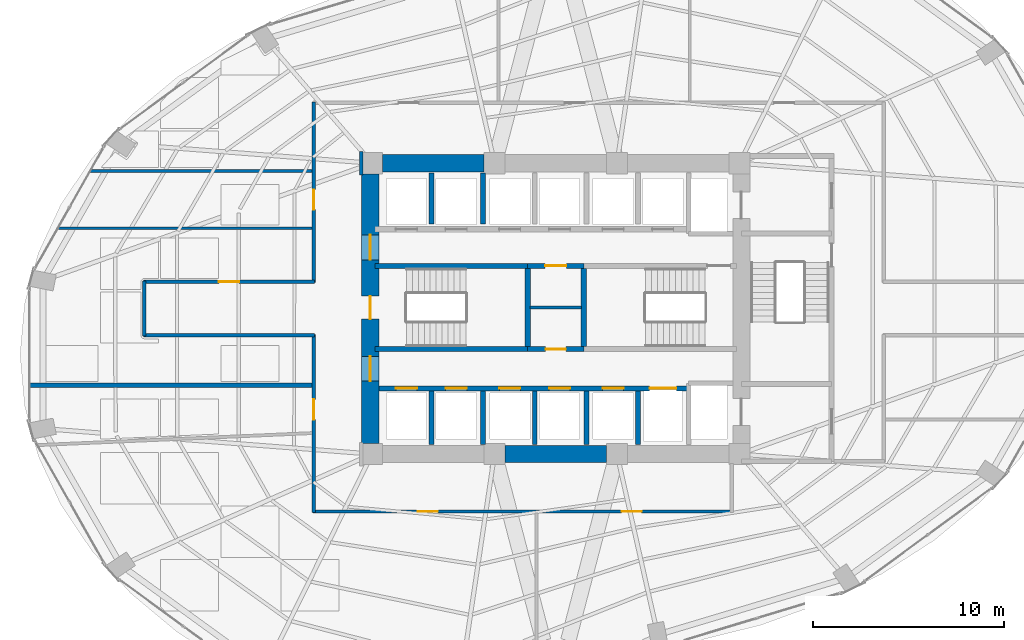
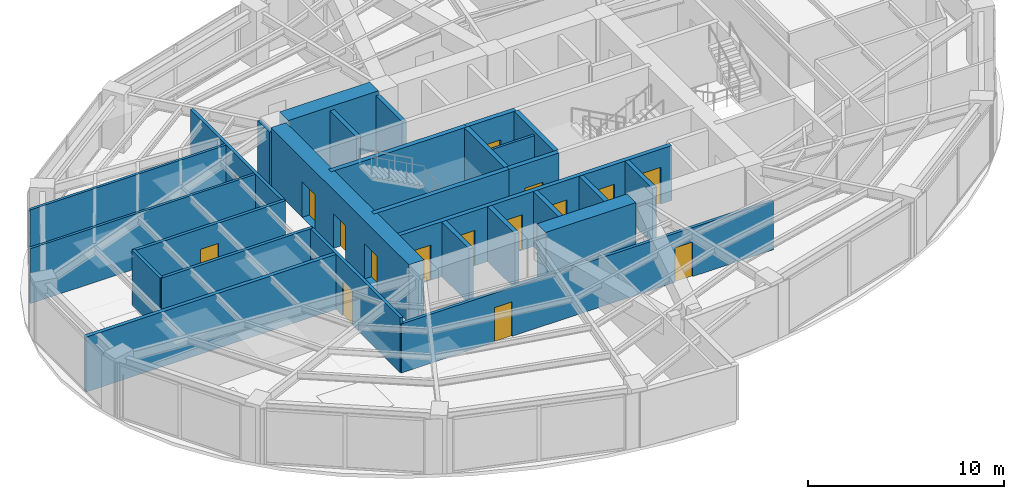
# One storey, part 20 of 24: 28 walls, 16 doors, 16 openings.
"""IFC4 building model written with IfcOpenShell, lengths in metres."""

from ifc_helpers import new_model, si_unit, direction, frame, frame_2d, origin, place, context, subcontext, project, spatial, rectangle, extrude, material, layer, layer_set, type_object, element, fill, save


model = new_model("IFC4")

# Units and contexts
model_context = context("Model", 3, precision=1e-05, world=origin(), true_north=direction((0.0, 1.0)))
body_context = subcontext(model_context, "Body", "Model", "MODEL_VIEW")
ifc_project = project(units=[si_unit("LENGTHUNIT", "METRE"), si_unit("AREAUNIT", "SQUARE_METRE"), si_unit("VOLUMEUNIT", "CUBIC_METRE"), si_unit("PLANEANGLEUNIT", "RADIAN"), si_unit("MASSUNIT", "GRAM", prefix="KILO")], contexts=[model_context])

# Site, building, storey
site_placement = place(None, origin())
site = spatial("IfcSite", under=ifc_project, at=site_placement, CompositionType="ELEMENT")
building_placement = place(site_placement, origin())
building = spatial("IfcBuilding", under=site, at=building_placement, Name="Lazwardi Medical Tower", CompositionType="ELEMENT")
storey_placement = place(building_placement, frame((0.0, 0.0, 36.14404296875)))
storey = spatial("IfcBuildingStorey", under=building, at=storey_placement, Name="L08", CompositionType="ELEMENT", Elevation=36.14404296875)

# Wall
ifc_material_1 = material(Name="Fire-rated gypsum board on steel stud", Category="steel")
ifc_layer_1 = layer(ifc_material_1, 0.179931640625)
ifc_layer_set_1 = layer_set([ifc_layer_1], Name="Fire-rated gypsum board on steel stud")
wall_type_1 = type_object("IfcWallType", Name="WL-COR-180", PredefinedType="PARTITIONING", material=ifc_layer_set_1)
wall_1_placement = place(storey_placement, frame((14.5, 26.56005859375, 0.0), z_axis=(0.0, 0.0, 1.0), x_axis=(0.0, 1.0, 0.0)))
element("IfcWall", 1, at=wall_1_placement, inside=storey, type_object=wall_type_1, Name="L08 Corridor partition 1", PredefinedType="PARTITIONING", context=body_context, shape_type="SweptSolid", body=[
    extrude(rectangle(XDim=2.8798828125, YDim=0.179931640625, at=frame_2d((1.43994140625, 0.0))), origin(), (0.0, 0.0, 1.0), 3.427978515625),
])

# Wall, opening, door
wall_2_placement = place(storey_placement, frame((14.4599609375, 29.39990234375, 0.0), z_axis=(0.0, 0.0, 1.0), x_axis=(1.0, 0.0, 0.0)))
wall_2 = element("IfcWall", 2, at=wall_2_placement, inside=storey, type_object=wall_type_1, Name="L08 Corridor partition 2", PredefinedType="PARTITIONING", context=body_context, shape_type="SweptSolid", body=[
    extrude(rectangle(XDim=8.929931640625, YDim=0.179931640625, at=frame_2d((4.46484375, 0.0))), origin(), (0.0, 0.0, 1.0), 3.427978515625),
])
opening_1_placement = place(wall_2_placement, frame((3.93994140625, 0.0, 0.0)))
opening_1 = element("IfcOpeningElement", 3, at=opening_1_placement, cuts=wall_2, Name="Opening D-L08-014", PredefinedType="OPENING", context=body_context, shape_type="SweptSolid", body=[
    extrude(rectangle(XDim=1.050048828125, YDim=2.14990234375, at=frame_2d((0.52490234375, 1.074951171875))), frame((0.0, 0.099853515625, 0.0), z_axis=(0.0, -1.0, 0.0), x_axis=(1.0, 0.0, 0.0)), (0.0, 0.0, 1.0), 0.199951171875),
])
ifc_material_2 = material(Name="Anti-microbial laminate hospital leaf")
door_type_1 = type_object("IfcDoorType", Name="DR-CLN-1050", OperationType="NOTDEFINED", PredefinedType="DOOR", material=ifc_material_2)
door_1_placement = place(opening_1_placement, origin())
door_1 = element("IfcDoor", 4, at=door_1_placement, inside=storey, type_object=door_type_1, Name="L08 Outpatient Clinic Door 08", OperationType="SINGLE_SWING_RIGHT", OverallHeight=2.14990234375, OverallWidth=1.050048828125, PredefinedType="DOOR", context=body_context, shape_type="SweptSolid", body=[
    extrude(rectangle(XDim=1.050048828125, YDim=2.14990234375, at=frame_2d((0.52490234375, 1.074951171875))), frame((0.0, 0.02490234375, 0.0), z_axis=(0.0, -1.0, 0.0), x_axis=(1.0, 0.0, 0.0)), (0.0, 0.0, 1.0), 0.050048828125),
])
fill(opening_1, door_1)

wall_3_placement = place(storey_placement, frame((23.35009765625, 29.360107421875, 0.0), z_axis=(0.0, 0.0, 1.0), x_axis=(0.0, 1.0, 0.0)))
wall_3 = element("IfcWall", 5, at=wall_3_placement, inside=storey, type_object=wall_type_1, Name="L08 Corridor partition 3", PredefinedType="PARTITIONING", context=body_context, shape_type="SweptSolid", body=[
    extrude(rectangle(XDim=9.429931640625, YDim=0.179931640625, at=frame_2d((4.71484375, 0.0))), origin(), (0.0, 0.0, 1.0), 3.427978515625),
])
opening_2_placement = place(wall_3_placement, frame((3.81494140625, 0.0, 0.0)))
opening_2 = element("IfcOpeningElement", 6, at=opening_2_placement, cuts=wall_3, Name="Opening D-L08-013", PredefinedType="OPENING", context=body_context, shape_type="SweptSolid", body=[
    extrude(rectangle(XDim=1.050048828125, YDim=2.14990234375, at=frame_2d((0.52490234375, 1.074951171875))), frame((0.0, 0.099853515625, 0.0), z_axis=(0.0, -1.0, 0.0), x_axis=(1.0, 0.0, 0.0)), (0.0, 0.0, 1.0), 0.199951171875),
])
door_2_placement = place(opening_2_placement, origin())
door_2 = element("IfcDoor", 7, at=door_2_placement, inside=storey, type_object=door_type_1, Name="L08 Outpatient Clinic Door 07", OperationType="SINGLE_SWING_LEFT", OverallHeight=2.14990234375, OverallWidth=1.050048828125, PredefinedType="DOOR", context=body_context, shape_type="SweptSolid", body=[
    extrude(rectangle(XDim=1.050048828125, YDim=2.14990234375, at=frame_2d((0.52490234375, 1.074951171875))), frame((0.0, 0.02490234375, 0.0), z_axis=(0.0, -1.0, 0.0), x_axis=(1.0, 0.0, 0.0)), (0.0, 0.0, 1.0), 0.050048828125),
])
fill(opening_2, door_2)

# Wall
wall_4_placement = place(storey_placement, frame((25.830078125, 36.2099609375, 0.0), z_axis=(0.0, 0.0, 1.0), x_axis=(0.0, -1.0, 0.0)))
element("IfcWall", 8, at=wall_4_placement, inside=storey, type_object=wall_type_1, Name="L08 Corridor partition 12", PredefinedType="PARTITIONING", context=body_context, shape_type="SweptSolid", body=[
    extrude(rectangle(XDim=1.219970703125, YDim=0.179931640625, at=frame_2d((0.60986328125, 0.0))), origin(), (0.0, 0.0, 1.0), 3.427978515625),
])

# Wall, openings, doors
wall_5_placement = place(storey_placement, frame((45.239990234375, 17.39990234375, 0.0), z_axis=(0.0, 0.0, 1.0), x_axis=(-1.0, 0.0, 0.0)))
wall_5 = element("IfcWall", 9, at=wall_5_placement, inside=storey, type_object=wall_type_1, Name="L08 Corridor partition 15", PredefinedType="PARTITIONING", context=body_context, shape_type="SweptSolid", body=[
    extrude(rectangle(XDim=21.929931640625, YDim=0.179931640625, at=frame_2d((10.96484375, 0.0))), origin(), (0.0, 0.0, 1.0), 3.052978515625),
])
opening_3_placement = place(wall_5_placement, frame((15.40087890625, 0.0, 0.0)))
opening_3 = element("IfcOpeningElement", 10, at=opening_3_placement, cuts=wall_5, Name="Opening D-L08-008", PredefinedType="OPENING", context=body_context, shape_type="SweptSolid", body=[
    extrude(rectangle(XDim=1.050048828125, YDim=2.14990234375, at=frame_2d((0.52490234375, 1.074951171875))), frame((0.0, 0.099853515625, 0.0), z_axis=(0.0, -1.0, 0.0), x_axis=(1.0, 0.0, 0.0)), (0.0, 0.0, 1.0), 0.199951171875),
])
opening_4_placement = place(wall_5_placement, frame((4.75390625, 0.0, 0.0)))
opening_4 = element("IfcOpeningElement", 11, at=opening_4_placement, cuts=wall_5, Name="Opening D-L08-009", PredefinedType="OPENING", context=body_context, shape_type="SweptSolid", body=[
    extrude(rectangle(XDim=1.050048828125, YDim=2.14990234375, at=frame_2d((0.52490234375, 1.074951171875))), frame((0.0, 0.099853515625, 0.0), z_axis=(0.0, -1.0, 0.0), x_axis=(1.0, 0.0, 0.0)), (0.0, 0.0, 1.0), 0.199951171875),
])
door_3_placement = place(opening_3_placement, origin())
door_3 = element("IfcDoor", 12, at=door_3_placement, inside=storey, type_object=door_type_1, Name="L08 Clinical Specialist Office Door 02", OperationType="SINGLE_SWING_RIGHT", OverallHeight=2.14990234375, OverallWidth=1.050048828125, PredefinedType="DOOR", context=body_context, shape_type="SweptSolid", body=[
    extrude(rectangle(XDim=1.050048828125, YDim=2.14990234375, at=frame_2d((0.52490234375, 1.074951171875))), frame((0.0, 0.02490234375, 0.0), z_axis=(0.0, -1.0, 0.0), x_axis=(1.0, 0.0, 0.0)), (0.0, 0.0, 1.0), 0.050048828125),
])
fill(opening_3, door_3)
door_4_placement = place(opening_4_placement, origin())
door_4 = element("IfcDoor", 13, at=door_4_placement, inside=storey, type_object=door_type_1, Name="L08 Outpatient Consultation Suite Door 03", OperationType="SINGLE_SWING_LEFT", OverallHeight=2.14990234375, OverallWidth=1.050048828125, PredefinedType="DOOR", context=body_context, shape_type="SweptSolid", body=[
    extrude(rectangle(XDim=1.050048828125, YDim=2.14990234375, at=frame_2d((0.52490234375, 1.074951171875))), frame((0.0, 0.02490234375, 0.0), z_axis=(0.0, -1.0, 0.0), x_axis=(1.0, 0.0, 0.0)), (0.0, 0.0, 1.0), 0.050048828125),
])
fill(opening_4, door_4)

# Wall, opening, door
wall_6_placement = place(storey_placement, frame((23.35009765625, 17.360107421875, 0.0), z_axis=(0.0, 0.0, 1.0), x_axis=(0.0, 1.0, 0.0)))
wall_6 = element("IfcWall", 14, at=wall_6_placement, inside=storey, type_object=wall_type_1, Name="L08 Corridor partition 16", PredefinedType="PARTITIONING", context=body_context, shape_type="SweptSolid", body=[
    extrude(rectangle(XDim=9.27978515625, YDim=0.179931640625, at=frame_2d((4.639892578125, 0.0))), origin(), (0.0, 0.0, 1.0), 3.427978515625),
])
opening_5_placement = place(wall_6_placement, frame((4.845703125, 0.0, 0.0)))
opening_5 = element("IfcOpeningElement", 15, at=opening_5_placement, cuts=wall_6, Name="Opening D-L08-007", PredefinedType="OPENING", context=body_context, shape_type="SweptSolid", body=[
    extrude(rectangle(XDim=1.050048828125, YDim=2.14990234375, at=frame_2d((0.52490234375, 1.074951171875))), frame((0.0, 0.099853515625, 0.0), z_axis=(0.0, -1.0, 0.0), x_axis=(1.0, 0.0, 0.0)), (0.0, 0.0, 1.0), 0.199951171875),
])
door_5_placement = place(opening_5_placement, origin())
door_5 = element("IfcDoor", 16, at=door_5_placement, inside=storey, type_object=door_type_1, Name="L08 Outpatient Clinic Door 01", OperationType="SINGLE_SWING_LEFT", OverallHeight=2.14990234375, OverallWidth=1.050048828125, PredefinedType="DOOR", context=body_context, shape_type="SweptSolid", body=[
    extrude(rectangle(XDim=1.050048828125, YDim=2.14990234375, at=frame_2d((0.52490234375, 1.074951171875))), frame((0.0, 0.02490234375, 0.0), z_axis=(0.0, -1.0, 0.0), x_axis=(1.0, 0.0, 0.0)), (0.0, 0.0, 1.0), 0.050048828125),
])
fill(opening_5, door_5)

# Wall
wall_7_placement = place(storey_placement, frame((23.389892578125, 26.60009765625, 0.0), z_axis=(0.0, 0.0, 1.0), x_axis=(-1.0, 0.0, 0.0)))
element("IfcWall", 17, at=wall_7_placement, inside=storey, type_object=wall_type_1, Name="L08 Corridor partition 17", PredefinedType="PARTITIONING", context=body_context, shape_type="SweptSolid", body=[
    extrude(rectangle(XDim=8.929931640625, YDim=0.179931640625, at=frame_2d((4.46484375, 0.0))), origin(), (0.0, 0.0, 1.0), 3.427978515625),
])

# Wall, openings, doors
ifc_material_3 = material(Name="Concrete C80/95", Category="concrete")
ifc_layer_2 = layer(ifc_material_3, 0.89990234375)
ifc_layer_set_2 = layer_set([ifc_layer_2], Name="Concrete C80/95")
wall_type_2 = type_object("IfcWallType", Name="WL-CORE-900", PredefinedType="SHEAR", material=ifc_layer_set_2)
wall_8_placement = place(storey_placement, frame((26.300048828125, 20.949951171875, 0.0), z_axis=(0.0, 0.0, 1.0), x_axis=(0.0, 1.0, 0.0)))
wall_8 = element("IfcWall", 18, at=wall_8_placement, inside=storey, type_object=wall_type_2, Name="Core wall CW-S1 west L08", PredefinedType="SHEAR", context=body_context, shape_type="SweptSolid", body=[
    extrude(rectangle(XDim=14.10009765625, YDim=0.89990234375, at=frame_2d((7.050048828125, 0.0))), origin(), (0.0, 0.0, 1.0), 3.64794921875),
])
opening_6_placement = place(wall_8_placement, frame((6.5, 0.0, 0.0)))
opening_6 = element("IfcOpeningElement", 19, at=opening_6_placement, cuts=wall_8, Name="Opening D-L08-015", PredefinedType="OPENING", context=body_context, shape_type="SweptSolid", body=[
    extrude(rectangle(XDim=1.199951171875, YDim=2.14990234375, at=frame_2d((0.60009765625, 1.074951171875))), frame((0.0, 0.4599609375, 0.0), z_axis=(0.0, -1.0, 0.0), x_axis=(1.0, 0.0, 0.0)), (0.0, 0.0, 1.0), 0.919921875),
])
opening_7_placement = place(wall_8_placement, frame((9.60009765625, 0.0, 0.0)))
opening_7 = element("IfcOpeningElement", 20, at=opening_7_placement, cuts=wall_8, Name="Opening D-L08-005", PredefinedType="OPENING", context=body_context, shape_type="SweptSolid", body=[
    extrude(rectangle(XDim=1.300048828125, YDim=2.199951171875, at=frame_2d((0.64990234375, 1.10009765625))), frame((0.0, 0.4599609375, 0.0), z_axis=(0.0, -1.0, 0.0), x_axis=(1.0, 0.0, 0.0)), (0.0, 0.0, 1.0), 0.919921875),
])
opening_8_placement = place(wall_8_placement, frame((3.260009765625, 0.0, 0.0)))
opening_8 = element("IfcOpeningElement", 21, at=opening_8_placement, cuts=wall_8, Name="Opening D-L08-006", PredefinedType="OPENING", context=body_context, shape_type="SweptSolid", body=[
    extrude(rectangle(XDim=1.300048828125, YDim=2.199951171875, at=frame_2d((0.64990234375, 1.10009765625))), frame((0.0, 0.4599609375, 0.0), z_axis=(0.0, -1.0, 0.0), x_axis=(1.0, 0.0, 0.0)), (0.0, 0.0, 1.0), 0.919921875),
])
ifc_material_4 = material(Name="Fire-rated steel leaf and frame", Category="steel")
door_type_2 = type_object("IfcDoorType", Name="DR-FFL-1300", OperationType="NOTDEFINED", PredefinedType="DOOR", material=ifc_material_4)
door_6_placement = place(opening_7_placement, origin())
door_6 = element("IfcDoor", 22, at=door_6_placement, inside=storey, type_object=door_type_2, Name="L08 North Lift Lobby Door", OperationType="SINGLE_SWING_RIGHT", OverallHeight=2.199951171875, OverallWidth=1.300048828125, PredefinedType="DOOR", context=body_context, shape_type="SweptSolid", body=[
    extrude(rectangle(XDim=1.300048828125, YDim=2.199951171875, at=frame_2d((0.64990234375, 1.10009765625))), frame((0.0, 0.02490234375, 0.0), z_axis=(0.0, -1.0, 0.0), x_axis=(1.0, 0.0, 0.0)), (0.0, 0.0, 1.0), 0.050048828125),
])
fill(opening_7, door_6)
door_7_placement = place(opening_8_placement, origin())
door_7 = element("IfcDoor", 23, at=door_7_placement, inside=storey, type_object=door_type_2, Name="L08 South Lift Lobby Door", OperationType="SINGLE_SWING_LEFT", OverallHeight=2.199951171875, OverallWidth=1.300048828125, PredefinedType="DOOR", context=body_context, shape_type="SweptSolid", body=[
    extrude(rectangle(XDim=1.300048828125, YDim=2.199951171875, at=frame_2d((0.64990234375, 1.10009765625))), frame((0.0, 0.02490234375, 0.0), z_axis=(0.0, -1.0, 0.0), x_axis=(1.0, 0.0, 0.0)), (0.0, 0.0, 1.0), 0.050048828125),
])
fill(opening_8, door_7)
door_type_3 = type_object("IfcDoorType", Name="DR-STR-1200", OperationType="NOTDEFINED", PredefinedType="DOOR", material=ifc_material_4)
door_8_placement = place(opening_6_placement, origin())
door_8 = element("IfcDoor", 24, at=door_8_placement, inside=storey, type_object=door_type_3, Name="L08 Exit Stair ST1 Door", OperationType="SINGLE_SWING_RIGHT", OverallHeight=2.14990234375, OverallWidth=1.199951171875, PredefinedType="DOOR", context=body_context, shape_type="SweptSolid", body=[
    extrude(rectangle(XDim=1.199951171875, YDim=2.14990234375, at=frame_2d((0.60009765625, 1.074951171875))), frame((0.0, 0.02490234375, 0.0), z_axis=(0.0, -1.0, 0.0), x_axis=(1.0, 0.0, 0.0)), (0.0, 0.0, 1.0), 0.050048828125),
])
fill(opening_6, door_8)

# Walls
wall_9_placement = place(storey_placement, frame((26.949951171875, 35.60009765625, 0.0), z_axis=(0.0, 0.0, 1.0), x_axis=(1.0, 0.0, 0.0)))
element("IfcWall", 25, at=wall_9_placement, inside=storey, type_object=wall_type_2, Name="Core wall CW-S1 N1 L08", PredefinedType="SHEAR", context=body_context, shape_type="SweptSolid", body=[
    extrude(rectangle(XDim=5.300048828125, YDim=0.89990234375, at=frame_2d((2.64990234375, 0.0))), origin(), (0.0, 0.0, 1.0), 3.64794921875),
])
wall_10_placement = place(storey_placement, frame((33.35009765625, 20.39990234375, 0.0), z_axis=(0.0, 0.0, 1.0), x_axis=(1.0, 0.0, 0.0)))
element("IfcWall", 26, at=wall_10_placement, inside=storey, type_object=wall_type_2, Name="Core wall CW-S1 S2 L08", PredefinedType="SHEAR", context=body_context, shape_type="SweptSolid", body=[
    extrude(rectangle(XDim=5.2998046875, YDim=0.89990234375, at=frame_2d((2.64990234375, 0.0))), origin(), (0.0, 0.0, 1.0), 3.64794921875),
])

# Wall, openings, doors
ifc_material_5 = material(Name="Autoclaved aerated concrete blockwork", Category="masonry")
ifc_layer_3 = layer(ifc_material_5, 0.25)
ifc_layer_set_3 = layer_set([ifc_layer_3], Name="Autoclaved aerated concrete blockwork")
wall_type_3 = type_object("IfcWallType", Name="WL-SHAFT-250", PredefinedType="SOLIDWALL", material=ifc_layer_set_3)
wall_11_placement = place(storey_placement, frame((26.75, 23.830078125, 0.0), z_axis=(0.0, 0.0, 1.0), x_axis=(1.0, 0.0, 0.0)))
wall_11 = element("IfcWall", 27, at=wall_11_placement, inside=storey, type_object=wall_type_3, Name="L08 South lift bank front wall", PredefinedType="SOLIDWALL", context=body_context, shape_type="SweptSolid", body=[
    extrude(rectangle(XDim=16.199951171875, YDim=0.25, at=frame_2d((8.10009765625, 0.0))), origin(), (0.0, 0.0, 1.0), 3.427978515625),
])
opening_9_placement = place(wall_11_placement, frame((0.89990234375, 0.0, 0.0)))
opening_9 = element("IfcOpeningElement", 28, at=opening_9_placement, cuts=wall_11, Name="Opening LD-L08-006", PredefinedType="OPENING", context=body_context, shape_type="SweptSolid", body=[
    extrude(rectangle(XDim=1.10009765625, YDim=2.199951171875, at=frame_2d((0.550048828125, 1.10009765625))), frame((0.0, 0.135009765625, 0.0), z_axis=(0.0, -1.0, 0.0), x_axis=(1.0, 0.0, 0.0)), (0.0, 0.0, 1.0), 0.27001953125),
])
opening_10_placement = place(wall_11_placement, frame((3.5, 0.0, 0.0)))
opening_10 = element("IfcOpeningElement", 29, at=opening_10_placement, cuts=wall_11, Name="Opening LD-L08-007", PredefinedType="OPENING", context=body_context, shape_type="SweptSolid", body=[
    extrude(rectangle(XDim=1.10009765625, YDim=2.199951171875, at=frame_2d((0.550048828125, 1.10009765625))), frame((0.0, 0.135009765625, 0.0), z_axis=(0.0, -1.0, 0.0), x_axis=(1.0, 0.0, 0.0)), (0.0, 0.0, 1.0), 0.27001953125),
])
opening_11_placement = place(wall_11_placement, frame((6.300048828125, 0.0, 0.0)))
opening_11 = element("IfcOpeningElement", 30, at=opening_11_placement, cuts=wall_11, Name="Opening LD-L08-010", PredefinedType="OPENING", context=body_context, shape_type="SweptSolid", body=[
    extrude(rectangle(XDim=1.10009765625, YDim=2.199951171875, at=frame_2d((0.550048828125, 1.10009765625))), frame((0.0, 0.135009765625, 0.0), z_axis=(0.0, -1.0, 0.0), x_axis=(1.0, 0.0, 0.0)), (0.0, 0.0, 1.0), 0.27001953125),
])
opening_12_placement = place(wall_11_placement, frame((8.89990234375, 0.0, 0.0)))
opening_12 = element("IfcOpeningElement", 31, at=opening_12_placement, cuts=wall_11, Name="Opening LD-L08-011", PredefinedType="OPENING", context=body_context, shape_type="SweptSolid", body=[
    extrude(rectangle(XDim=1.10009765625, YDim=2.199951171875, at=frame_2d((0.550048828125, 1.10009765625))), frame((0.0, 0.135009765625, 0.0), z_axis=(0.0, -1.0, 0.0), x_axis=(1.0, 0.0, 0.0)), (0.0, 0.0, 1.0), 0.27001953125),
])
opening_13_placement = place(wall_11_placement, frame((11.699951171875, 0.0, 0.0)))
opening_13 = element("IfcOpeningElement", 32, at=opening_13_placement, cuts=wall_11, Name="Opening LD-L08-014", PredefinedType="OPENING", context=body_context, shape_type="SweptSolid", body=[
    extrude(rectangle(XDim=1.10009765625, YDim=2.199951171875, at=frame_2d((0.550048828125, 1.10009765625))), frame((0.0, 0.135009765625, 0.0), z_axis=(0.0, -1.0, 0.0), x_axis=(1.0, 0.0, 0.0)), (0.0, 0.0, 1.0), 0.27001953125),
])
opening_14_placement = place(wall_11_placement, frame((14.14990234375, 0.0, 0.0)))
opening_14 = element("IfcOpeningElement", 33, at=opening_14_placement, cuts=wall_11, Name="Opening LD-L08-003", PredefinedType="OPENING", context=body_context, shape_type="SweptSolid", body=[
    extrude(rectangle(XDim=1.39990234375, YDim=2.300048828125, at=frame_2d((0.699951171875, 1.14990234375))), frame((0.0, 0.135009765625, 0.0), z_axis=(0.0, -1.0, 0.0), x_axis=(1.0, 0.0, 0.0)), (0.0, 0.0, 1.0), 0.27001953125),
])
ifc_material_6 = material(Name="Brushed bronze stainless steel landing door", Category="steel")
door_type_4 = type_object("IfcDoorType", Name="DR-LFT-1100", OperationType="NOTDEFINED", PredefinedType="DOOR", material=ifc_material_6)
door_9_placement = place(opening_9_placement, origin())
door_9 = element("IfcDoor", 34, at=door_9_placement, inside=storey, type_object=door_type_4, Name="L08 Lift Landing Door PL-03", OperationType="SLIDING_TO_LEFT", OverallHeight=2.199951171875, OverallWidth=1.10009765625, PredefinedType="DOOR", context=body_context, shape_type="SweptSolid", body=[
    extrude(rectangle(XDim=1.10009765625, YDim=2.199951171875, at=frame_2d((0.550048828125, 1.10009765625))), frame((0.0, 0.02490234375, 0.0), z_axis=(0.0, -1.0, 0.0), x_axis=(1.0, 0.0, 0.0)), (0.0, 0.0, 1.0), 0.050048828125),
])
fill(opening_9, door_9)
door_10_placement = place(opening_10_placement, origin())
door_10 = element("IfcDoor", 35, at=door_10_placement, inside=storey, type_object=door_type_4, Name="L08 Lift Landing Door PL-04", OperationType="SLIDING_TO_LEFT", OverallHeight=2.199951171875, OverallWidth=1.10009765625, PredefinedType="DOOR", context=body_context, shape_type="SweptSolid", body=[
    extrude(rectangle(XDim=1.10009765625, YDim=2.199951171875, at=frame_2d((0.550048828125, 1.10009765625))), frame((0.0, 0.02490234375, 0.0), z_axis=(0.0, -1.0, 0.0), x_axis=(1.0, 0.0, 0.0)), (0.0, 0.0, 1.0), 0.050048828125),
])
fill(opening_10, door_10)
door_11_placement = place(opening_11_placement, origin())
door_11 = element("IfcDoor", 36, at=door_11_placement, inside=storey, type_object=door_type_4, Name="L08 Lift Landing Door PL-07", OperationType="SLIDING_TO_LEFT", OverallHeight=2.199951171875, OverallWidth=1.10009765625, PredefinedType="DOOR", context=body_context, shape_type="SweptSolid", body=[
    extrude(rectangle(XDim=1.10009765625, YDim=2.199951171875, at=frame_2d((0.550048828125, 1.10009765625))), frame((0.0, 0.02490234375, 0.0), z_axis=(0.0, -1.0, 0.0), x_axis=(1.0, 0.0, 0.0)), (0.0, 0.0, 1.0), 0.050048828125),
])
fill(opening_11, door_11)
door_12_placement = place(opening_12_placement, origin())
door_12 = element("IfcDoor", 37, at=door_12_placement, inside=storey, type_object=door_type_4, Name="L08 Lift Landing Door PL-08", OperationType="SLIDING_TO_LEFT", OverallHeight=2.199951171875, OverallWidth=1.10009765625, PredefinedType="DOOR", context=body_context, shape_type="SweptSolid", body=[
    extrude(rectangle(XDim=1.10009765625, YDim=2.199951171875, at=frame_2d((0.550048828125, 1.10009765625))), frame((0.0, 0.02490234375, 0.0), z_axis=(0.0, -1.0, 0.0), x_axis=(1.0, 0.0, 0.0)), (0.0, 0.0, 1.0), 0.050048828125),
])
fill(opening_12, door_12)
door_13_placement = place(opening_13_placement, origin())
door_13 = element("IfcDoor", 38, at=door_13_placement, inside=storey, type_object=door_type_4, Name="L08 Lift Landing Door PL-11", OperationType="SLIDING_TO_LEFT", OverallHeight=2.199951171875, OverallWidth=1.10009765625, PredefinedType="DOOR", context=body_context, shape_type="SweptSolid", body=[
    extrude(rectangle(XDim=1.10009765625, YDim=2.199951171875, at=frame_2d((0.550048828125, 1.10009765625))), frame((0.0, 0.02490234375, 0.0), z_axis=(0.0, -1.0, 0.0), x_axis=(1.0, 0.0, 0.0)), (0.0, 0.0, 1.0), 0.050048828125),
])
fill(opening_13, door_13)
ifc_material_7 = material(Name="Brushed stainless steel bed-lift landing door", Category="steel")
door_type_5 = type_object("IfcDoorType", Name="DR-LFT-1400", OperationType="NOTDEFINED", PredefinedType="DOOR", material=ifc_material_7)
door_14_placement = place(opening_14_placement, origin())
door_14 = element("IfcDoor", 39, at=door_14_placement, inside=storey, type_object=door_type_5, Name="L08 Lift Landing Door FL-03", OperationType="SLIDING_TO_LEFT", OverallHeight=2.300048828125, OverallWidth=1.39990234375, PredefinedType="DOOR", context=body_context, shape_type="SweptSolid", body=[
    extrude(rectangle(XDim=1.39990234375, YDim=2.300048828125, at=frame_2d((0.699951171875, 1.14990234375))), frame((0.0, 0.02490234375, 0.0), z_axis=(0.0, -1.0, 0.0), x_axis=(1.0, 0.0, 0.0)), (0.0, 0.0, 1.0), 0.050048828125),
])
fill(opening_14, door_14)

# Walls
wall_12_placement = place(storey_placement, frame((29.5, 32.419921875, 0.0), z_axis=(0.0, 0.0, 1.0), x_axis=(0.0, 1.0, 0.0)))
element("IfcWall", 40, at=wall_12_placement, inside=storey, type_object=wall_type_3, Name="L08 North hoistway divider", PredefinedType="SOLIDWALL", context=body_context, shape_type="SweptSolid", body=[
    extrude(rectangle(XDim=2.68017578125, YDim=0.25, at=frame_2d((1.340087890625, 0.0))), origin(), (0.0, 0.0, 1.0), 3.427978515625),
])
wall_13_placement = place(storey_placement, frame((29.5, 20.89990234375, 0.0), z_axis=(0.0, 0.0, 1.0), x_axis=(0.0, 1.0, 0.0)))
element("IfcWall", 41, at=wall_13_placement, inside=storey, type_object=wall_type_3, Name="L08 South hoistway divider", PredefinedType="SOLIDWALL", context=body_context, shape_type="SweptSolid", body=[
    extrude(rectangle(XDim=2.800048828125, YDim=0.25, at=frame_2d((1.39990234375, 0.0))), origin(), (0.0, 0.0, 1.0), 3.427978515625),
])
wall_14_placement = place(storey_placement, frame((32.199951171875, 32.419921875, 0.0), z_axis=(0.0, 0.0, 1.0), x_axis=(0.0, 1.0, 0.0)))
element("IfcWall", 42, at=wall_14_placement, inside=storey, type_object=wall_type_3, Name="L08 North hoistway divider", PredefinedType="SOLIDWALL", context=body_context, shape_type="SweptSolid", body=[
    extrude(rectangle(XDim=2.68017578125, YDim=0.25, at=frame_2d((1.340087890625, 0.0))), origin(), (0.0, 0.0, 1.0), 3.427978515625),
])
for number, where, z_axis, x_axis, name in (
    (43, (32.199951171875, 20.89990234375, 0.0), (0.0, 0.0, 1.0), (0.0, 1.0, 0.0), "L08 South hoistway divider"),
    (44, (34.89990234375, 20.89990234375, 0.0), (0.0, 0.0, 1.0), (0.0, 1.0, 0.0), "L08 South hoistway divider"),
    (45, (37.60009765625, 20.89990234375, 0.0), (0.0, 0.0, 1.0), (0.0, 1.0, 0.0), "L08 South hoistway divider"),
    (46, (40.300048828125, 20.89990234375, 0.0), (0.0, 0.0, 1.0), (0.0, 1.0, 0.0), "L08 South hoistway divider"),
):
    element("IfcWall", number, at=place(storey_placement, frame(where, z_axis=z_axis, x_axis=x_axis)), inside=storey, type_object=wall_type_3, Name=name, PredefinedType="SOLIDWALL", context=body_context, shape_type="SweptSolid", body=[
        extrude(rectangle(XDim=2.800048828125, YDim=0.25, at=frame_2d((1.39990234375, 0.0))), origin(), (0.0, 0.0, 1.0), 3.427978515625),
    ])
ifc_layer_4 = layer(ifc_material_1, 0.219970703125)
ifc_layer_set_4 = layer_set([ifc_layer_4], Name="Fire-rated gypsum board on steel stud")
wall_type_4 = type_object("IfcWallType", Name="WL-SMK-220", PredefinedType="PARTITIONING", material=ifc_layer_set_4)
wall_15_placement = place(storey_placement, frame((8.5078125, 24.0, 0.0), z_axis=(0.0, 0.0, 1.0), x_axis=(1.0, 0.0, 0.0)))
element("IfcWall", 47, at=wall_15_placement, inside=storey, type_object=wall_type_4, Name="L08 Room partition 2", PredefinedType="PARTITIONING", context=body_context, shape_type="SweptSolid", body=[
    extrude(rectangle(XDim=14.752197265625, YDim=0.219970703125, at=frame_2d((7.3759765625, 0.0))), origin(), (0.0, 0.0, 1.0), 3.427978515625),
])
ifc_material_8 = material(Name="Concrete C50/60", Category="concrete")
ifc_layer_5 = layer(ifc_material_8, 0.27001953125)
ifc_layer_set_5 = layer_set([ifc_layer_5], Name="Concrete C50/60")
wall_type_5 = type_object("IfcWallType", Name="WL-STR-250", PredefinedType="SHEAR", material=ifc_layer_set_5)
wall_16_placement = place(storey_placement, frame((26.550048828125, 30.235107421875, 0.0), z_axis=(0.0, 0.0, 1.0), x_axis=(1.0, 0.0, 0.0)))
element("IfcWall", 48, at=wall_16_placement, inside=storey, type_object=wall_type_5, Name="L08 ST1 North shear shaft wall SW-S1", PredefinedType="SHEAR", context=body_context, shape_type="SweptSolid", body=[
    extrude(rectangle(XDim=7.98486328125, YDim=0.27001953125, at=frame_2d((3.992431640625, 0.0))), origin(), (0.0, 0.0, 1.0), 3.64794921875),
])

# Wall, opening, door
wall_17_placement = place(storey_placement, frame((34.534912109375, 30.235107421875, 0.0), z_axis=(0.0, 0.0, 1.0), x_axis=(1.0, 0.0, 0.0)))
wall_17 = element("IfcWall", 49, at=wall_17_placement, inside=storey, type_object=wall_type_5, Name="L08 Core service North shear wall SW-S1", PredefinedType="SHEAR", context=body_context, shape_type="SweptSolid", body=[
    extrude(rectangle(XDim=2.93017578125, YDim=0.27001953125, at=frame_2d((1.465087890625, 0.0))), origin(), (0.0, 0.0, 1.0), 3.64794921875),
])
opening_15_placement = place(wall_17_placement, frame((0.9150390625, 0.0, 0.0)))
opening_15 = element("IfcOpeningElement", 50, at=opening_15_placement, cuts=wall_17, Name="Opening D-L08-002", PredefinedType="OPENING", context=body_context, shape_type="SweptSolid", body=[
    extrude(rectangle(XDim=1.10009765625, YDim=2.14990234375, at=frame_2d((0.550048828125, 1.074951171875))), frame((0.0, 0.14501953125, 0.0), z_axis=(0.0, -1.0, 0.0), x_axis=(1.0, 0.0, 0.0)), (0.0, 0.0, 1.0), 0.2900390625),
])
door_type_6 = type_object("IfcDoorType", Name="DR-PLT-1100", OperationType="NOTDEFINED", PredefinedType="DOOR", material=ifc_material_4)
door_15_placement = place(opening_15_placement, origin())
door_15 = element("IfcDoor", 51, at=door_15_placement, inside=storey, type_object=door_type_6, Name="L08 Electrical Room Door", OperationType="SINGLE_SWING_LEFT", OverallHeight=2.14990234375, OverallWidth=1.10009765625, PredefinedType="DOOR", context=body_context, shape_type="SweptSolid", body=[
    extrude(rectangle(XDim=1.10009765625, YDim=2.14990234375, at=frame_2d((0.550048828125, 1.074951171875))), frame((0.0, 0.02490234375, 0.0), z_axis=(0.0, -1.0, 0.0), x_axis=(1.0, 0.0, 0.0)), (0.0, 0.0, 1.0), 0.050048828125),
])
fill(opening_15, door_15)

# Wall
wall_18_placement = place(storey_placement, frame((26.550048828125, 25.885009765625, 0.0), z_axis=(0.0, 0.0, 1.0), x_axis=(1.0, 0.0, 0.0)))
element("IfcWall", 52, at=wall_18_placement, inside=storey, type_object=wall_type_5, Name="L08 ST1 South shear shaft wall SW-S1", PredefinedType="SHEAR", context=body_context, shape_type="SweptSolid", body=[
    extrude(rectangle(XDim=7.98486328125, YDim=0.27001953125, at=frame_2d((3.992431640625, 0.0))), origin(), (0.0, 0.0, 1.0), 3.64794921875),
])

# Wall, opening, door
wall_19_placement = place(storey_placement, frame((34.534912109375, 25.885009765625, 0.0), z_axis=(0.0, 0.0, 1.0), x_axis=(1.0, 0.0, 0.0)))
wall_19 = element("IfcWall", 53, at=wall_19_placement, inside=storey, type_object=wall_type_5, Name="L08 Core service South shear wall SW-S1", PredefinedType="SHEAR", context=body_context, shape_type="SweptSolid", body=[
    extrude(rectangle(XDim=2.93017578125, YDim=0.27001953125, at=frame_2d((1.465087890625, 0.0))), origin(), (0.0, 0.0, 1.0), 3.64794921875),
])
opening_16_placement = place(wall_19_placement, frame((0.93994140625, 0.0, 0.0)))
opening_16 = element("IfcOpeningElement", 54, at=opening_16_placement, cuts=wall_19, Name="Opening D-L08-001", PredefinedType="OPENING", context=body_context, shape_type="SweptSolid", body=[
    extrude(rectangle(XDim=1.050048828125, YDim=2.14990234375, at=frame_2d((0.52490234375, 1.074951171875))), frame((0.0, 0.14501953125, 0.0), z_axis=(0.0, -1.0, 0.0), x_axis=(1.0, 0.0, 0.0)), (0.0, 0.0, 1.0), 0.2900390625),
])
door_16_placement = place(opening_16_placement, origin())
door_16 = element("IfcDoor", 55, at=door_16_placement, inside=storey, type_object=door_type_1, Name="L08 Dirty Sluice Door", OperationType="SINGLE_SWING_RIGHT", OverallHeight=2.14990234375, OverallWidth=1.050048828125, PredefinedType="DOOR", context=body_context, shape_type="SweptSolid", body=[
    extrude(rectangle(XDim=1.050048828125, YDim=2.14990234375, at=frame_2d((0.52490234375, 1.074951171875))), frame((0.0, 0.02490234375, 0.0), z_axis=(0.0, -1.0, 0.0), x_axis=(1.0, 0.0, 0.0)), (0.0, 0.0, 1.0), 0.050048828125),
])
fill(opening_16, door_16)

# Walls
for number, where, z_axis, x_axis, name in (
    (56, (34.534912109375, 26.02001953125, 0.0), (0.0, 0.0, 1.0), (0.0, 1.0, 0.0), "L08 ST1 East shear shaft wall SW-S1"),
    (57, (37.465087890625, 26.02001953125, 0.0), (0.0, 0.0, 1.0), (0.0, 1.0, 0.0), "L08 ST2 West shear shaft wall SW-S1"),
):
    element("IfcWall", number, at=place(storey_placement, frame(where, z_axis=z_axis, x_axis=x_axis)), inside=storey, type_object=wall_type_5, Name=name, PredefinedType="SHEAR", context=body_context, shape_type="SweptSolid", body=[
        extrude(rectangle(XDim=4.080078125, YDim=0.27001953125, at=frame_2d((2.0400390625, 0.0))), origin(), (0.0, 0.0, 1.0), 3.64794921875),
    ])
ifc_material_9 = material(Name="Acoustic gypsum board partition")
ifc_layer_6 = layer(ifc_material_9, 0.14990234375)
ifc_layer_set_6 = layer_set([ifc_layer_6], Name="Acoustic gypsum board partition")
wall_type_6 = type_object("IfcWallType", Name="WL-WRD-150", PredefinedType="PARTITIONING", material=ifc_layer_set_6)
wall_20_placement = place(storey_placement, frame((34.64990234375, 28.06005859375, 0.0), z_axis=(0.0, 0.0, 1.0), x_axis=(1.0, 0.0, 0.0)))
element("IfcWall", 58, at=wall_20_placement, inside=storey, type_object=wall_type_6, Name="L08 Core service divider", PredefinedType="PARTITIONING", context=body_context, shape_type="SweptSolid", body=[
    extrude(rectangle(XDim=2.7001953125, YDim=0.14990234375, at=frame_2d((1.35009765625, 0.0))), origin(), (0.0, 0.0, 1.0), 3.427978515625),
])
wall_21_placement = place(storey_placement, frame((9.97802734375, 32.199951171875, 0.0), z_axis=(0.0, 0.0, 1.0), x_axis=(1.0, 0.0, 0.0)))
element("IfcWall", 59, at=wall_21_placement, inside=storey, type_object=wall_type_6, Name="L08 Room partition 3", PredefinedType="PARTITIONING", context=body_context, shape_type="SweptSolid", body=[
    extrude(rectangle(XDim=13.281982421875, YDim=0.14990234375, at=frame_2d((6.64111328125, 0.0))), origin(), (0.0, 0.0, 1.0), 3.427978515625),
])
wall_22_placement = place(storey_placement, frame((11.677490234375, 35.199951171875, 0.0), z_axis=(0.0, 0.0, 1.0), x_axis=(1.0, 0.0, 0.0)))
element("IfcWall", 60, at=wall_22_placement, inside=storey, type_object=wall_type_6, Name="L08 Room partition 4", PredefinedType="PARTITIONING", context=body_context, shape_type="SweptSolid", body=[
    extrude(rectangle(XDim=11.58251953125, YDim=0.14990234375, at=frame_2d((5.791259765625, 0.0))), origin(), (0.0, 0.0, 1.0), 3.427978515625),
])

save(model, "model.ifc")
